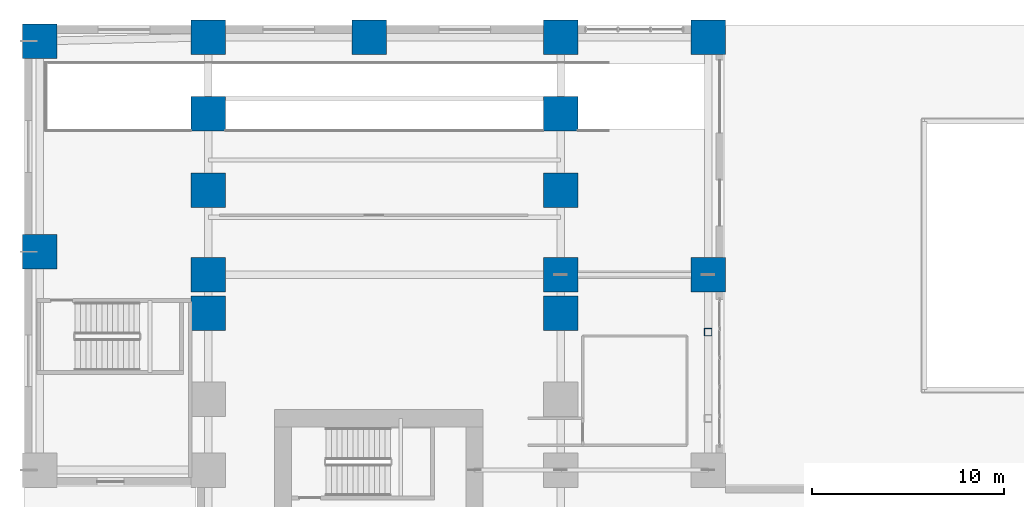
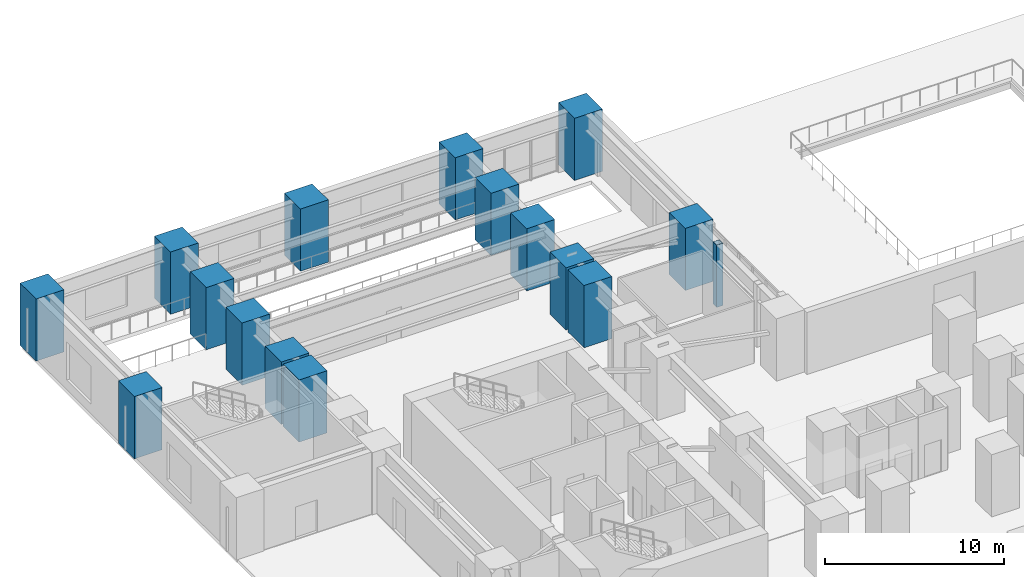
# One storey, part 3 of 23: 16 columns.
"""IFC4 building model written with IfcOpenShell, lengths in metres."""

import ifcopenshell
import ifcopenshell.guid

model = None  # the IFC model being written
_history = None  # IfcOwnerHistory: only IFC2X3 demands one
_inside = {}  # id of a spatial element -> (the spatial element, [elements in it])
_under = {}  # id of a project, library or spatial element -> (it, [spatial elements below it])
_declared = {}  # id of a project -> (the project, [libraries it declares])
_typed = {}  # id of a type object -> (the type object, [elements of that type])
_made_of = {}  # id of a material, layer set ... -> (it, [elements and type objects made of it])


def new_model(schema):
    """Start an empty IFC model of exactly this schema.

    Asked for "IFC4X3", IfcOpenShell would pick the latest addendum, in which some entities
    have other attributes; the version numbers below select the first issue.
    IFC2X3 requires an IfcOwnerHistory on every rooted entity: one is made here for all.
    """
    global model, _history
    if schema == "IFC4X3":
        model = ifcopenshell.file(schema_version=(4, 3, 0, 0))
    else:
        model = ifcopenshell.file(schema=schema)
    _inside.clear()
    _under.clear()
    _declared.clear()
    _typed.clear()
    _made_of.clear()
    _history = None
    if model.schema == "IFC2X3":
        org = make("IfcOrganization", Name="unknown")
        user = make(
            "IfcPersonAndOrganization",
            ThePerson=make("IfcPerson", FamilyName="unknown"),
            TheOrganization=org,
        )
        app = make(
            "IfcApplication",
            ApplicationDeveloper=org,
            Version="unknown",
            ApplicationFullName="unknown",
            ApplicationIdentifier="unknown",
        )
        _history = make(
            "IfcOwnerHistory",
            OwningUser=user,
            OwningApplication=app,
            ChangeAction="ADDED",
            CreationDate=0,
        )
    return model


def make(cls, **values):
    """One entity of the class cls with the attributes given. An attribute that is None is left unset."""
    return model.create_entity(
        cls, **{name: value for name, value in values.items() if value is not None}
    )


def rooted(cls, **values):
    """An entity with a GlobalId (a new one), such as an element, a storey or a relation."""
    return make(cls, GlobalId=ifcopenshell.guid.new(), OwnerHistory=_history, **values)


def si_unit(unit_type, name, prefix=None):
    """IfcSIUnit, for example si_unit("LENGTHUNIT", "METRE", prefix="MILLI")."""
    return make("IfcSIUnit", UnitType=unit_type, Prefix=prefix, Name=name)


def assignment(units):
    """IfcUnitAssignment: the units of a project."""
    return None if units is None else make("IfcUnitAssignment", Units=units)


def point(xyz):
    """IfcCartesianPoint."""
    return None if xyz is None else make("IfcCartesianPoint", Coordinates=xyz)


def direction(xyz):
    """IfcDirection."""
    return None if xyz is None else make("IfcDirection", DirectionRatios=xyz)


def frame(location, z_axis=None, x_axis=None):
    """IfcAxis2Placement3D, a coordinate frame: its origin and axes. An axis left out is left unset."""
    return make(
        "IfcAxis2Placement3D",
        Location=point(location),
        Axis=direction(z_axis),
        RefDirection=direction(x_axis),
    )


def frame_2d(location, x_axis=None):
    """IfcAxis2Placement2D, a coordinate frame in the plane: its origin and x axis."""
    return make(
        "IfcAxis2Placement2D", Location=point(location), RefDirection=direction(x_axis)
    )


def origin():
    """The frame at (0, 0, 0) with its axes left unset."""
    return frame((0.0, 0.0, 0.0))


def origin_2d():
    """The frame at (0, 0) in the plane with its x axis left unset."""
    return frame_2d((0.0, 0.0))


def place(relative_to, where):
    """IfcLocalPlacement: puts the frame where relative to a parent placement (None: the world)."""
    return make(
        "IfcLocalPlacement", PlacementRelTo=relative_to, RelativePlacement=where
    )


def context(
    kind, dimensions, precision=None, world=None, true_north=None, identifier=None
):
    """IfcGeometricRepresentationContext, for example the 3D "Model" context."""
    return make(
        "IfcGeometricRepresentationContext",
        ContextIdentifier=identifier,
        ContextType=kind,
        CoordinateSpaceDimension=dimensions,
        Precision=precision,
        WorldCoordinateSystem=world,
        TrueNorth=true_north,
    )


def subcontext(parent, identifier, kind, view, scale=None):
    """IfcGeometricRepresentationSubContext, for example "Body" below "Model"."""
    return make(
        "IfcGeometricRepresentationSubContext",
        ContextIdentifier=identifier,
        ContextType=kind,
        ParentContext=parent,
        TargetScale=scale,
        TargetView=view,
    )


def project(units=None, contexts=None):
    """IfcProject with its units and contexts."""
    return rooted(
        "IfcProject",
        Name="project",
        RepresentationContexts=contexts,
        UnitsInContext=assignment(units),
    )


def spatial(cls, under=None, at=None, **own):
    """A site, building, storey or space (cls), placed at a placement, below another one or the project."""
    s = rooted(cls, ObjectPlacement=at, **own)
    if under is not None:
        _under.setdefault(under.id(), (under, []))[1].append(s)
    return s


def profile(cls, at=None, kind="AREA", **sizes):
    """A parametric profile (cls). Its sizes go by their IFC names, for example OverallWidth=200.0."""
    return make(cls, ProfileType=kind, Position=at, **sizes)


def rectangle(**sizes):
    """IfcRectangleProfileDef."""
    return profile("IfcRectangleProfileDef", **sizes)


def hollow_rectangle(**sizes):
    """IfcRectangleHollowProfileDef."""
    return profile("IfcRectangleHollowProfileDef", **sizes)


def extrude(swept, where, along, depth):
    """IfcExtrudedAreaSolid: the profile swept, set in the frame where, extruded along a direction by depth."""
    return make(
        "IfcExtrudedAreaSolid",
        SweptArea=swept,
        Position=where,
        ExtrudedDirection=direction(along),
        Depth=depth,
    )


def shape(context_of_items, identifier, shape_type, items):
    """IfcShapeRepresentation: the items that make up one representation, for example the "Body"."""
    return make(
        "IfcShapeRepresentation",
        ContextOfItems=context_of_items,
        RepresentationIdentifier=identifier,
        RepresentationType=shape_type,
        Items=items,
    )


def source(mapping_origin, context_of_items, identifier, shape_type, items):
    """IfcRepresentationMap: a shape defined once, which mapped items show again and again."""
    return make(
        "IfcRepresentationMap",
        MappingOrigin=mapping_origin,
        MappedRepresentation=shape(context_of_items, identifier, shape_type, items),
    )


def transform(
    local_origin,
    x_axis=None,
    y_axis=None,
    z_axis=None,
    scale=None,
    scale2=None,
    scale3=None,
    uniform=True,
):
    """IfcCartesianTransformationOperator3D, or its non-uniform kind. x_axis, y_axis, z_axis: its Axis1, 2, 3."""
    if uniform:
        return make(
            "IfcCartesianTransformationOperator3D",
            Axis1=direction(x_axis),
            Axis2=direction(y_axis),
            LocalOrigin=point(local_origin),
            Scale=scale,
            Axis3=direction(z_axis),
        )
    return make(
        "IfcCartesianTransformationOperator3DnonUniform",
        Axis1=direction(x_axis),
        Axis2=direction(y_axis),
        LocalOrigin=point(local_origin),
        Scale=scale,
        Axis3=direction(z_axis),
        Scale2=scale2,
        Scale3=scale3,
    )


def mapped(mapping_source, mapping_target):
    """IfcMappedItem: shows the shape of a source again, moved by a transform."""
    return make(
        "IfcMappedItem", MappingSource=mapping_source, MappingTarget=mapping_target
    )


def material(Name=None, Category=None):
    """IfcMaterial."""
    return make("IfcMaterial", Name=Name, Category=Category)


def material_profile(
    of_material, cross_section, Name=None, Category=None, Priority=None
):
    """IfcMaterialProfile: a cross section and its material."""
    return make(
        "IfcMaterialProfile",
        Name=Name,
        Material=of_material,
        Profile=cross_section,
        Priority=Priority,
        Category=Category,
    )


def profile_set(profiles, Name=None, composite=None):
    """IfcMaterialProfileSet."""
    return make(
        "IfcMaterialProfileSet",
        Name=Name,
        MaterialProfiles=profiles,
        CompositeProfile=composite,
    )


def made_of(thing, what):
    """Note that an element or type object is made of a material, layer set ...; save() writes the relation."""
    if what is not None:
        _made_of.setdefault(what.id(), (what, []))[1].append(thing)
    return thing


def type_object(cls, material=None, **own):
    """A type object (cls), such as IfcWallType, which elements share."""
    return made_of(rooted(cls, **own), material)


def element(
    cls,
    number,
    at=None,
    inside=None,
    cuts=None,
    type_object=None,
    material=None,
    context=None,
    identifier="Body",
    shape_type=None,
    held_by="IfcProductDefinitionShape",
    body=None,
    shapes=None,
    **own,
):
    """One element of the class cls, such as IfcWall. Its Tag is "e" and its number.

    at: its placement. inside: the storey or other place that contains it. cuts: it is an
    opening in that element (IfcRelVoidsElement). A single representation is given by context,
    identifier, shape_type and body (its items); several are given by shapes. held_by: the class
    of the entity that holds the representations. save() writes the other relations.
    """
    e = rooted(cls, Tag="e%d" % number, ObjectPlacement=at, **own)
    if body is not None:
        shapes = [shape(context, identifier, shape_type, body)]
    if shapes is not None:
        e.Representation = make(held_by, Representations=shapes)
    if inside is not None:
        _inside.setdefault(inside.id(), (inside, []))[1].append(e)
    if cuts is not None:
        rooted(
            "IfcRelVoidsElement", RelatingBuildingElement=cuts, RelatedOpeningElement=e
        )
    if type_object is not None:
        _typed.setdefault(type_object.id(), (type_object, []))[1].append(e)
    return made_of(e, material)


def aggregate(whole, parts):
    """IfcRelAggregates: a whole, such as a stair, and the parts it consists of."""
    return rooted("IfcRelAggregates", RelatingObject=whole, RelatedObjects=parts)


def save(model, path):
    """Write the relations noted so far, then the file.

    IfcRelAggregates (storeys below a building ...), IfcRelContainedInSpatialStructure (elements
    in a storey), IfcRelDefinesByType, IfcRelAssociatesMaterial and IfcRelDeclares: one each for
    every whole, place, type object, material and project.
    """
    for whole, parts in _under.values():
        aggregate(whole, parts)
    for where, things in _inside.values():
        rooted(
            "IfcRelContainedInSpatialStructure",
            RelatedElements=things,
            RelatingStructure=where,
        )
    for kind, things in _typed.values():
        rooted("IfcRelDefinesByType", RelatedObjects=things, RelatingType=kind)
    for what, things in _made_of.values():
        rooted("IfcRelAssociatesMaterial", RelatedObjects=things, RelatingMaterial=what)
    for by, libraries in _declared.values():
        rooted("IfcRelDeclares", RelatingContext=by, RelatedDefinitions=libraries)
    model.write(path)


model = new_model("IFC4")

# Units and contexts
model_context = context("Model", 3, precision=1e-05, world=origin(), true_north=direction((0.0, 1.0)))
body_context = subcontext(model_context, "Body", "Model", "MODEL_VIEW")
ifc_project = project(units=[si_unit("LENGTHUNIT", "METRE"), si_unit("AREAUNIT", "SQUARE_METRE"), si_unit("VOLUMEUNIT", "CUBIC_METRE"), si_unit("PLANEANGLEUNIT", "RADIAN"), si_unit("MASSUNIT", "GRAM", prefix="KILO")], contexts=[model_context])

# Site, building, storey
site_placement = place(None, origin())
site = spatial("IfcSite", under=ifc_project, at=site_placement, CompositionType="ELEMENT")
building_placement = place(site_placement, origin())
building = spatial("IfcBuilding", under=site, at=building_placement, Name="Kharzan Plaza Tower", CompositionType="ELEMENT")
storey_placement = place(building_placement, origin())
storey = spatial("IfcBuildingStorey", under=building, at=storey_placement, Name="L00", CompositionType="ELEMENT", Elevation=0.0)

# Columns
ifc_material_1 = material(Name="Concrete C60/75", Category="concrete")
ifc_material_profile_1 = material_profile(ifc_material_1, rectangle(XDim=1.800048828125, YDim=1.800048828125, at=origin_2d()), Name="RC-MC1800x1800")
ifc_profile_set_1 = profile_set([ifc_material_profile_1], Name="Concrete C60/75")
column_type_1 = type_object("IfcColumnType", Name="COL-MC1800", PredefinedType="COLUMN", material=ifc_profile_set_1)
shared_shape_1 = source(origin(), body_context, "Body", "SweptSolid", [
    extrude(rectangle(XDim=1.800048828125, YDim=1.800048828125, at=origin_2d()), origin(), (0.0, 0.0, 1.0), 4.25),
])
for number, where, z_axis, x_axis, name in (
    (1, (-8.199951171875, 38.199951171875, 0.0), (0.0, 0.0, 1.0), (1.0, 0.0, 0.0), "L00 Podium Mega-Column MC02"),
    (2, (-8.199951171875, 49.199951171875, 0.0), (0.0, 0.0, 1.0), (1.0, 0.0, 0.0), "L00 Podium Mega-Column MC03"),
    (3, (0.60009765625, 35.0, 0.0), (0.0, 0.0, 1.0), (1.0, 0.0, 0.0), "L00 Podium Mega-Column MC08"),
    (4, (0.60009765625, 37.0, 0.0), (0.0, 0.0, 1.0), (1.0, 0.0, 0.0), "L00 Podium Mega-Column MC09"),
    (5, (0.60009765625, 41.39990234375, 0.0), (0.0, 0.0, 1.0), (1.0, 0.0, 0.0), "L00 Podium Mega-Column MC10"),
    (6, (0.60009765625, 45.39990234375, 0.0), (0.0, 0.0, 1.0), (1.0, 0.0, 0.0), "L00 Podium Mega-Column MC11"),
    (7, (0.60009765625, 49.39990234375, 0.0), (0.0, 0.0, 1.0), (1.0, 0.0, 0.0), "L00 Podium Mega-Column MC12"),
    (8, (9.0, 49.39990234375, 0.0), (0.0, 0.0, 1.0), (1.0, 0.0, 0.0), "L00 Podium Mega-Column MC20"),
    (9, (19.0, 49.39990234375, 0.0), (0.0, 0.0, 1.0), (1.0, 0.0, 0.0), "L00 Podium Mega-Column MC21"),
    (10, (26.699951171875, 49.39990234375, 0.0), (0.0, 0.0, 1.0), (1.0, 0.0, 0.0), "L00 Podium Mega-Column MC22"),
    (11, (26.699951171875, 37.0, 0.0), (0.0, 0.0, 1.0), (1.0, 0.0, 0.0), "L00 Podium Mega-Column MC24"),
    (12, (19.0, 35.0, 0.0), (0.0, 0.0, 1.0), (1.0, 0.0, 0.0), "L00 Podium Mega-Column MC41"),
    (13, (19.0, 37.0, 0.0), (0.0, 0.0, 1.0), (1.0, 0.0, 0.0), "L00 Podium Mega-Column MC42"),
    (14, (19.0, 41.39990234375, 0.0), (0.0, 0.0, 1.0), (1.0, 0.0, 0.0), "L00 Podium Mega-Column MC43"),
    (15, (19.0, 45.39990234375, 0.0), (0.0, 0.0, 1.0), (1.0, 0.0, 0.0), "L00 Podium Mega-Column MC44"),
):
    element("IfcColumn", number, at=place(storey_placement, frame(where, z_axis=z_axis, x_axis=x_axis)), inside=storey, type_object=column_type_1, Name=name, PredefinedType="COLUMN", context=body_context, shape_type="MappedRepresentation", body=[
        mapped(shared_shape_1, transform((0.0, 0.0, 0.0), x_axis=(1.0, 0.0, 0.0), y_axis=(0.0, 1.0, 0.0), z_axis=(0.0, 0.0, 1.0))),
    ])
ifc_material_2 = material(Name="Steel S355", Category="steel")
ifc_material_profile_2 = material_profile(ifc_material_2, hollow_rectangle(XDim=0.39990234375, YDim=0.39990234375, WallThickness=0.02001953125, at=origin_2d()), Name="SHS400x400x20")
ifc_profile_set_2 = profile_set([ifc_material_profile_2], Name="Steel S355")
column_type_2 = type_object("IfcColumnType", Name="COL-PIL400", PredefinedType="PILASTER", material=ifc_profile_set_2)
shared_shape_2 = source(origin(), body_context, "Body", "SweptSolid", [
    extrude(hollow_rectangle(XDim=0.39990234375, YDim=0.39990234375, WallThickness=0.02001953125, at=origin_2d()), origin(), (0.0, 0.0, 1.0), 4.25),
])
column_placement = place(storey_placement, frame((26.699951171875, 34.0, 0.0), z_axis=(0.0, 0.0, 1.0), x_axis=(1.0, 0.0, 0.0)))
element("IfcColumn", 16, at=column_placement, inside=storey, type_object=column_type_2, Name="L00 Portal Steel Pilaster 2", PredefinedType="PILASTER", context=body_context, shape_type="MappedRepresentation", body=[
    mapped(shared_shape_2, transform((0.0, 0.0, 0.0), x_axis=(1.0, 0.0, 0.0), y_axis=(0.0, 1.0, 0.0), z_axis=(0.0, 0.0, 1.0))),
])

save(model, "model.ifc")
